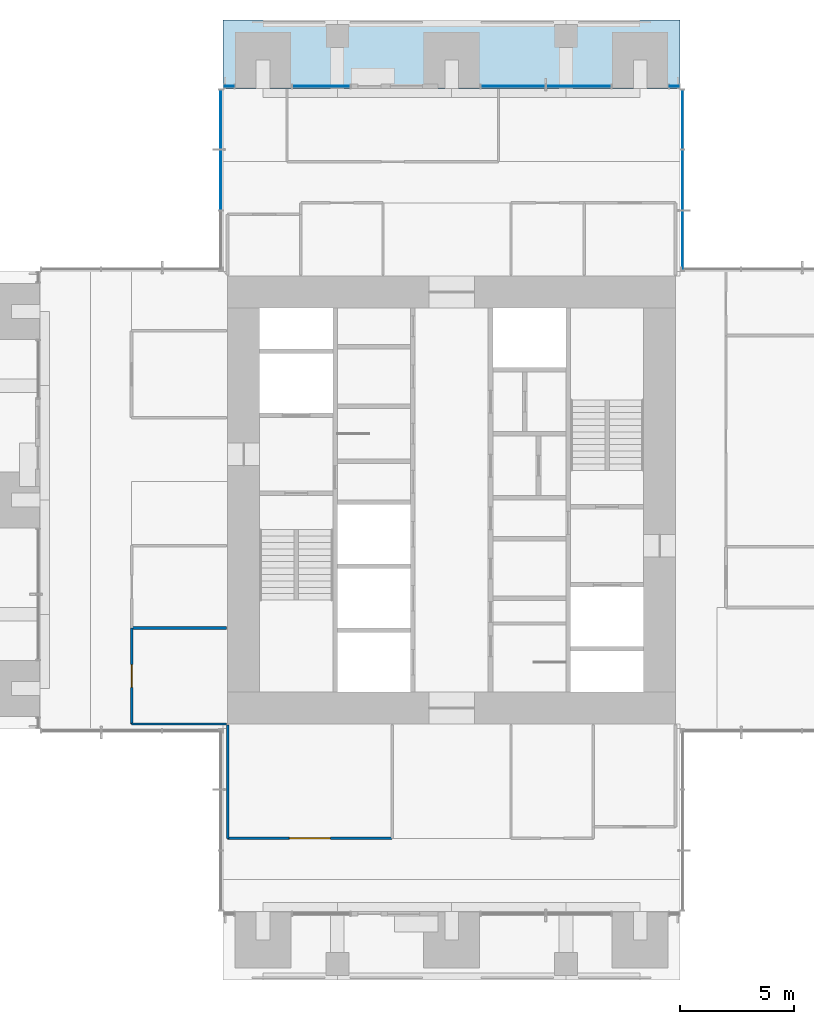
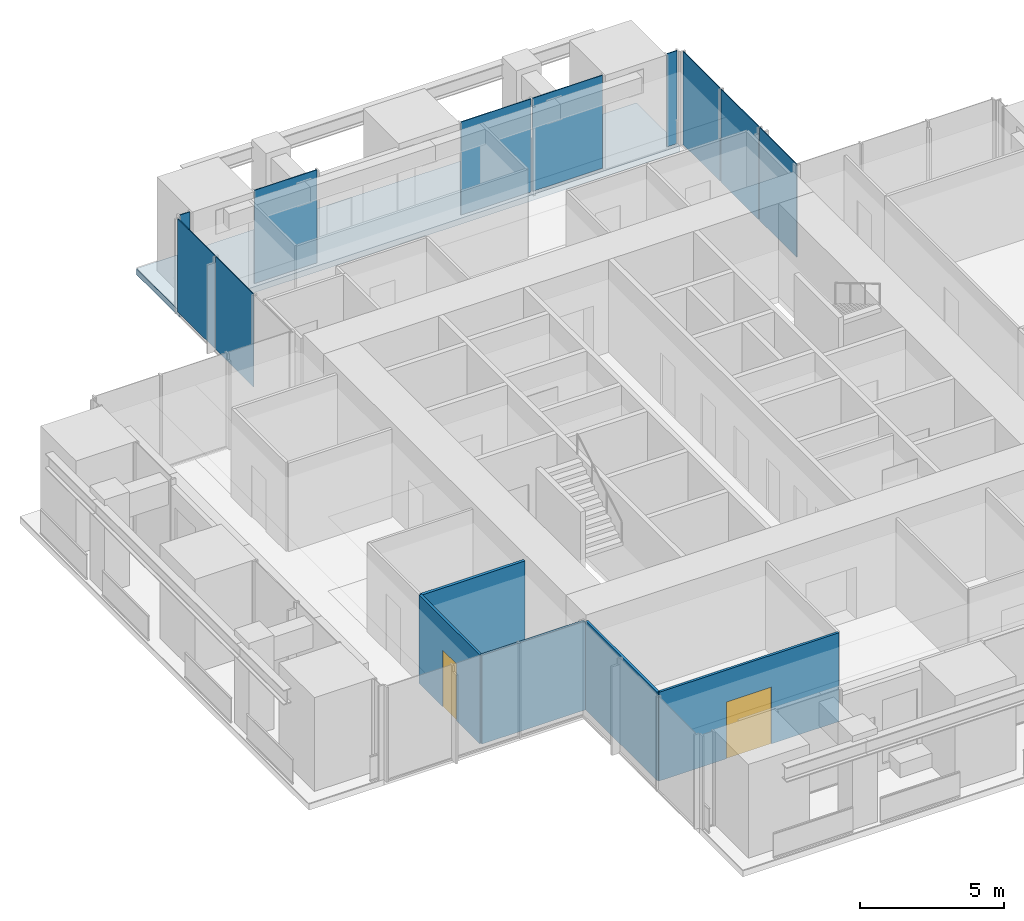
# One storey, part 11 of 17: 10 plates, 5 walls, 2 doors, 1 slab, 2 openings, 6 elements without a shape of their own.
"""IFC4 building model written with IfcOpenShell, lengths in metres."""

from ifc_helpers import new_model, si_unit, direction, frame, frame_2d, origin, origin_2d, place, context, subcontext, project, spatial, polyline, rectangle, outline, extrude, material, layer, layer_set, type_object, element, fill, aggregate, save


model = new_model("IFC4")

# Units and contexts
model_context = context("Model", 3, precision=1e-05, world=origin(), true_north=direction((0.0, 1.0)))
body_context = subcontext(model_context, "Body", "Model", "MODEL_VIEW")
ifc_project = project(units=[si_unit("LENGTHUNIT", "METRE"), si_unit("AREAUNIT", "SQUARE_METRE"), si_unit("VOLUMEUNIT", "CUBIC_METRE"), si_unit("PLANEANGLEUNIT", "RADIAN"), si_unit("MASSUNIT", "GRAM", prefix="KILO")], contexts=[model_context])

# Site, building, storey
site_placement = place(None, origin())
site = spatial("IfcSite", under=ifc_project, at=site_placement, CompositionType="ELEMENT")
building_placement = place(site_placement, origin())
building = spatial("IfcBuilding", under=site, at=building_placement, Name="Svetlomir Tower", CompositionType="ELEMENT")
storey_placement = place(building_placement, frame((0.0, 0.0, 182.5)))
storey = spatial("IfcBuildingStorey", under=building, at=storey_placement, Name="L43", CompositionType="ELEMENT", Elevation=182.5)

# Curtain wall, plates
ifc_material_1 = material(Name="Bronze anodised aluminium curtain wall", Category="aluminium")
curtain_wall_type = type_object("IfcCurtainWallType", Name="CURTAIN WALL CW1 TOWER OFFICE", PredefinedType="NOTDEFINED", material=ifc_material_1)
curtain_wall_1_placement = place(storey_placement, origin())
curtain_wall_1 = element("IfcCurtainWall", 1, at=curtain_wall_1_placement, inside=storey, type_object=curtain_wall_type, Name="Curtain wall CW1 L43", PredefinedType="NOTDEFINED")
ifc_material_2 = material(Name="Tinted double glazed unit", Category="glass")
ifc_layer_1 = layer(ifc_material_2, 0.031982421875)
ifc_layer_set_1 = layer_set([ifc_layer_1], Name="Tinted double glazed unit")
plate_type = type_object("IfcPlateType", Name="CW1 GLAZED PANEL 32", PredefinedType="CURTAIN_PANEL", material=ifc_layer_set_1)
plate_1_placement = place(storey_placement, frame((31.10009765625, 32.349609375, 0.06494140625), z_axis=(0.0, 0.0, 1.0), x_axis=(0.0, 1.0, 0.0)))
plate_1 = element("IfcPlate", 2, at=plate_1_placement, type_object=plate_type, Name="CW1 panel 1.1", PredefinedType="CURTAIN_PANEL", context=body_context, shape_type="SweptSolid", body=[
    extrude(rectangle(XDim=2.569091796875, YDim=0.031982421875, at=origin_2d()), origin(), (0.0, 0.0, 1.0), 3.93505859375),
])
plate_2_placement = place(storey_placement, frame((31.10009765625, 35.0, 0.06494140625), z_axis=(0.0, 0.0, 1.0), x_axis=(0.0, 1.0, 0.0)))
plate_2 = element("IfcPlate", 3, at=plate_2_placement, type_object=plate_type, Name="CW1 panel 2.1", PredefinedType="CURTAIN_PANEL", context=body_context, shape_type="SweptSolid", body=[
    extrude(rectangle(XDim=2.6015625, YDim=0.031982421875, at=origin_2d()), origin(), (0.0, 0.0, 1.0), 3.93505859375),
])
plate_3_placement = place(storey_placement, frame((31.10009765625, 37.650390625, 0.06494140625), z_axis=(0.0, 0.0, 1.0), x_axis=(0.0, 1.0, 0.0)))
plate_3 = element("IfcPlate", 4, at=plate_3_placement, type_object=plate_type, Name="CW1 panel 3.1", PredefinedType="CURTAIN_PANEL", context=body_context, shape_type="SweptSolid", body=[
    extrude(rectangle(XDim=2.569091796875, YDim=0.031982421875, at=origin_2d()), origin(), (0.0, 0.0, 1.0), 3.93505859375),
])
aggregate(curtain_wall_1, [plate_1, plate_2, plate_3])

# Curtain wall, plate
curtain_wall_2_placement = place(storey_placement, origin())
curtain_wall_2 = element("IfcCurtainWall", 5, at=curtain_wall_2_placement, inside=storey, type_object=curtain_wall_type, Name="Curtain wall CW1 L43", PredefinedType="NOTDEFINED")
plate_4_placement = place(storey_placement, frame((30.737548828125, 39.10009765625, 0.06494140625), z_axis=(0.0, 0.0, 1.0), x_axis=(-1.0, 0.0, 0.0)))
plate_4 = element("IfcPlate", 6, at=plate_4_placement, type_object=plate_type, Name="CW1 panel 1.1", PredefinedType="CURTAIN_PANEL", context=body_context, shape_type="SweptSolid", body=[
    extrude(rectangle(XDim=0.39501953125, YDim=0.031982421875, at=origin_2d()), origin(), (0.0, 0.0, 1.0), 3.93505859375),
])
aggregate(curtain_wall_2, [plate_4])

# Curtain wall, plates
curtain_wall_3_placement = place(storey_placement, origin())
curtain_wall_3 = element("IfcCurtainWall", 7, at=curtain_wall_3_placement, inside=storey, type_object=curtain_wall_type, Name="Curtain wall CW1 L43", PredefinedType="NOTDEFINED")
plate_5_placement = place(storey_placement, frame((26.558837890625, 39.10009765625, 0.06494140625), z_axis=(0.0, 0.0, 1.0), x_axis=(-1.0, 0.0, 0.0)))
plate_5 = element("IfcPlate", 8, at=plate_5_placement, type_object=plate_type, Name="CW1 panel 1.1", PredefinedType="CURTAIN_PANEL", context=body_context, shape_type="SweptSolid", body=[
    extrude(rectangle(XDim=2.802490234375, YDim=0.031982421875, at=origin_2d()), origin(), (0.0, 0.0, 1.0), 3.93505859375),
])
plate_6_placement = place(storey_placement, frame((23.691162109375, 39.10009765625, 0.06494140625), z_axis=(0.0, 0.0, 1.0), x_axis=(-1.0, 0.0, 0.0)))
plate_6 = element("IfcPlate", 9, at=plate_6_placement, type_object=plate_type, Name="CW1 panel 2.1", PredefinedType="CURTAIN_PANEL", context=body_context, shape_type="SweptSolid", body=[
    extrude(rectangle(XDim=2.802490234375, YDim=0.031982421875, at=origin_2d()), origin(), (0.0, 0.0, 1.0), 3.93505859375),
])
aggregate(curtain_wall_3, [plate_5, plate_6])

# Curtain wall, plate
curtain_wall_4_placement = place(storey_placement, origin())
curtain_wall_4 = element("IfcCurtainWall", 10, at=curtain_wall_4_placement, inside=storey, type_object=curtain_wall_type, Name="Curtain wall CW1 L43", PredefinedType="NOTDEFINED")
plate_7_placement = place(storey_placement, frame((15.28759765625, 39.10009765625, 0.06494140625), z_axis=(0.0, 0.0, 1.0), x_axis=(-1.0, 0.0, 0.0)))
plate_7 = element("IfcPlate", 11, at=plate_7_placement, type_object=plate_type, Name="CW1 panel 1.1", PredefinedType="CURTAIN_PANEL", context=body_context, shape_type="SweptSolid", body=[
    extrude(rectangle(XDim=2.4951171875, YDim=0.031982421875, at=origin_2d()), origin(), (0.0, 0.0, 1.0), 3.93505859375),
])
aggregate(curtain_wall_4, [plate_7])

curtain_wall_5_placement = place(storey_placement, origin())
curtain_wall_5 = element("IfcCurtainWall", 12, at=curtain_wall_5_placement, inside=storey, type_object=curtain_wall_type, Name="Curtain wall CW1 L43", PredefinedType="NOTDEFINED")
plate_8_placement = place(storey_placement, frame((11.262451171875, 39.10009765625, 0.06494140625), z_axis=(0.0, 0.0, 1.0), x_axis=(-1.0, 0.0, 0.0)))
plate_8 = element("IfcPlate", 13, at=plate_8_placement, type_object=plate_type, Name="CW1 panel 1.1", PredefinedType="CURTAIN_PANEL", context=body_context, shape_type="SweptSolid", body=[
    extrude(rectangle(XDim=0.39501953125, YDim=0.031982421875, at=origin_2d()), origin(), (0.0, 0.0, 1.0), 3.93505859375),
])
aggregate(curtain_wall_5, [plate_8])

# Curtain wall, plates
curtain_wall_6_placement = place(storey_placement, origin())
curtain_wall_6 = element("IfcCurtainWall", 14, at=curtain_wall_6_placement, inside=storey, type_object=curtain_wall_type, Name="Curtain wall CW1 L43", PredefinedType="NOTDEFINED")
plate_9_placement = place(storey_placement, frame((10.89990234375, 37.650390625, 0.06494140625), z_axis=(0.0, 0.0, 1.0), x_axis=(0.0, -1.0, 0.0)))
plate_9 = element("IfcPlate", 15, at=plate_9_placement, type_object=plate_type, Name="CW1 panel 1.1", PredefinedType="CURTAIN_PANEL", context=body_context, shape_type="SweptSolid", body=[
    extrude(rectangle(XDim=2.569091796875, YDim=0.031982421875, at=origin_2d()), origin(), (0.0, 0.0, 1.0), 3.93505859375),
])
plate_10_placement = place(storey_placement, frame((10.89990234375, 35.0, 0.06494140625), z_axis=(0.0, 0.0, 1.0), x_axis=(0.0, -1.0, 0.0)))
plate_10 = element("IfcPlate", 16, at=plate_10_placement, type_object=plate_type, Name="CW1 panel 2.1", PredefinedType="CURTAIN_PANEL", context=body_context, shape_type="SweptSolid", body=[
    extrude(rectangle(XDim=2.6015625, YDim=0.031982421875, at=origin_2d()), origin(), (0.0, 0.0, 1.0), 3.93505859375),
])
aggregate(curtain_wall_6, [plate_9, plate_10])

# Slab
ifc_material_3 = material(Name="Concrete C60/75", Category="concrete")
ifc_layer_2 = layer(ifc_material_3, 0.25)
ifc_layer_set_2 = layer_set([ifc_layer_2], Name="Concrete C60/75")
slab_type = type_object("IfcSlabType", Name="PLANTED LOGGIA SLAB 250", PredefinedType="FLOOR", material=ifc_layer_set_2)
slab_placement = place(storey_placement, frame((0.0, 0.0, -0.25)))
element("IfcSlab", 17, at=slab_placement, inside=storey, type_object=slab_type, Name="L43 N planted loggia", PredefinedType="FLOOR", context=body_context, shape_type="SweptSolid", body=[
    extrude(outline(polyline([(11.0, 39.0), (31.0, 39.0), (31.0, 42.0), (11.0, 42.0), (11.0, 39.0)])), origin(), (0.0, 0.0, 1.0), 0.25),
])

# Wall, opening, door
ifc_material_4 = material(Name="Framed laminated glass partition", Category="glass")
ifc_layer_3 = layer(ifc_material_4, 0.10009765625)
ifc_layer_set_3 = layer_set([ifc_layer_3], Name="Framed laminated glass partition")
wall_type_1 = type_object("IfcWallType", Name="GLAZED PARTITION 100", PredefinedType="PARTITIONING", material=ifc_layer_set_3)
wall_1_placement = place(storey_placement, frame((7.0, 11.199951171875, 0.0), z_axis=(0.0, 0.0, 1.0), x_axis=(0.0, 1.0, 0.0)))
wall_1 = element("IfcWall", 18, at=wall_1_placement, inside=storey, type_object=wall_type_1, Name="Glazed partition L43", PredefinedType="PARTITIONING", context=body_context, shape_type="SweptSolid", body=[
    extrude(rectangle(XDim=4.199951171875, YDim=0.10009765625, at=frame_2d((2.10009765625, 0.0))), origin(), (0.0, 0.0, 1.0), 3.75),
])
opening_1_placement = place(wall_1_placement, frame((1.60009765625, 0.0, 0.0)))
opening_1 = element("IfcOpeningElement", 19, at=opening_1_placement, cuts=wall_1, Name="Opening DG", PredefinedType="OPENING", context=body_context, shape_type="SweptSolid", body=[
    extrude(rectangle(XDim=1.0, YDim=2.39990234375, at=frame_2d((0.5, 1.199951171875))), frame((0.0, 0.06005859375, 0.0), z_axis=(0.0, -1.0, 0.0), x_axis=(1.0, 0.0, 0.0)), (0.0, 0.0, 1.0), 0.1201171875),
])
ifc_material_5 = material(Name="Framed laminated glass door", Category="glass")
door_type_1 = type_object("IfcDoorType", Name="GLAZED DOOR DG 1000x2400", OperationType="SINGLE_SWING_LEFT", PredefinedType="DOOR", material=ifc_material_5)
door_1_placement = place(opening_1_placement, origin())
door_1 = element("IfcDoor", 20, at=door_1_placement, inside=storey, type_object=door_type_1, Name="Meeting room, 4 seats door L43", OperationType="SINGLE_SWING_RIGHT", OverallHeight=2.39990234375, OverallWidth=1.0, PredefinedType="DOOR", context=body_context, shape_type="SweptSolid", body=[
    extrude(rectangle(XDim=1.0, YDim=2.39990234375, at=frame_2d((0.5, 1.199951171875))), frame((0.0, 0.02490234375, 0.0), z_axis=(0.0, -1.0, 0.0), x_axis=(1.0, 0.0, 0.0)), (0.0, 0.0, 1.0), 0.050048828125),
])
fill(opening_1, door_1)

# Walls
wall_2_placement = place(storey_placement, frame((7.0, 11.199951171875, 0.0), z_axis=(0.0, 0.0, 1.0), x_axis=(1.0, 0.0, 0.0)))
element("IfcWall", 21, at=wall_2_placement, inside=storey, type_object=wall_type_1, Name="Glazed partition L43", PredefinedType="PARTITIONING", context=body_context, shape_type="SweptSolid", body=[
    extrude(rectangle(XDim=4.14990234375, YDim=0.10009765625, at=frame_2d((2.074951171875, 0.0))), origin(), (0.0, 0.0, 1.0), 3.75),
])
wall_3_placement = place(storey_placement, frame((11.199951171875, 6.199951171875, 0.0), z_axis=(0.0, 0.0, 1.0), x_axis=(0.0, 1.0, 0.0)))
element("IfcWall", 22, at=wall_3_placement, inside=storey, type_object=wall_type_1, Name="Glazed partition L43", PredefinedType="PARTITIONING", context=body_context, shape_type="SweptSolid", body=[
    extrude(rectangle(XDim=4.949951171875, YDim=0.10009765625, at=frame_2d((2.47509765625, 0.0))), origin(), (0.0, 0.0, 1.0), 3.75),
])

# Wall, opening, door
wall_4_placement = place(storey_placement, frame((11.199951171875, 6.199951171875, 0.0), z_axis=(0.0, 0.0, 1.0), x_axis=(1.0, 0.0, 0.0)))
wall_4 = element("IfcWall", 23, at=wall_4_placement, inside=storey, type_object=wall_type_1, Name="Glazed partition L43", PredefinedType="PARTITIONING", context=body_context, shape_type="SweptSolid", body=[
    extrude(rectangle(XDim=7.199951171875, YDim=0.10009765625, at=frame_2d((3.60009765625, 0.0))), origin(), (0.0, 0.0, 1.0), 3.75),
])
opening_2_placement = place(wall_4_placement, frame((2.699951171875, 0.0, 0.0)))
opening_2 = element("IfcOpeningElement", 24, at=opening_2_placement, cuts=wall_4, Name="Opening DD", PredefinedType="OPENING", context=body_context, shape_type="SweptSolid", body=[
    extrude(rectangle(XDim=1.800048828125, YDim=2.39990234375, at=frame_2d((0.89990234375, 1.199951171875))), frame((0.0, 0.06005859375, 0.0), z_axis=(0.0, -1.0, 0.0), x_axis=(1.0, 0.0, 0.0)), (0.0, 0.0, 1.0), 0.1201171875),
])
ifc_material_6 = material(Name="Timber door", Category="wood")
door_type_2 = type_object("IfcDoorType", Name="DOOR DD 1800x2400", OperationType="DOUBLE_DOOR_SINGLE_SWING", PredefinedType="DOOR", material=ifc_material_6)
door_2_placement = place(opening_2_placement, origin())
door_2 = element("IfcDoor", 25, at=door_2_placement, inside=storey, type_object=door_type_2, Name="Stakeholder workshop room, 16 seats door L43", OperationType="DOUBLE_DOOR_SINGLE_SWING", OverallHeight=2.39990234375, OverallWidth=1.800048828125, PredefinedType="DOOR", context=body_context, shape_type="SweptSolid", body=[
    extrude(rectangle(XDim=1.800048828125, YDim=2.39990234375, at=frame_2d((0.89990234375, 1.199951171875))), frame((0.0, 0.02490234375, 0.0), z_axis=(0.0, -1.0, 0.0), x_axis=(1.0, 0.0, 0.0)), (0.0, 0.0, 1.0), 0.050048828125),
])
fill(opening_2, door_2)

# Wall
ifc_material_7 = material(Name="Gypsum board on steel studs", Category="steel")
ifc_layer_4 = layer(ifc_material_7, 0.1201171875)
ifc_layer_set_4 = layer_set([ifc_layer_4], Name="Gypsum board on steel studs")
wall_type_2 = type_object("IfcWallType", Name="PARTITION 120", PredefinedType="PARTITIONING", material=ifc_layer_set_4)
wall_5_placement = place(storey_placement, frame((7.0, 15.39990234375, 0.0), z_axis=(0.0, 0.0, 1.0), x_axis=(1.0, 0.0, 0.0)))
element("IfcWall", 26, at=wall_5_placement, inside=storey, type_object=wall_type_2, Name="Partition L43", PredefinedType="PARTITIONING", context=body_context, shape_type="SweptSolid", body=[
    extrude(rectangle(XDim=4.14990234375, YDim=0.1201171875, at=frame_2d((2.074951171875, 0.0))), origin(), (0.0, 0.0, 1.0), 3.75),
])

save(model, "model.ifc")
